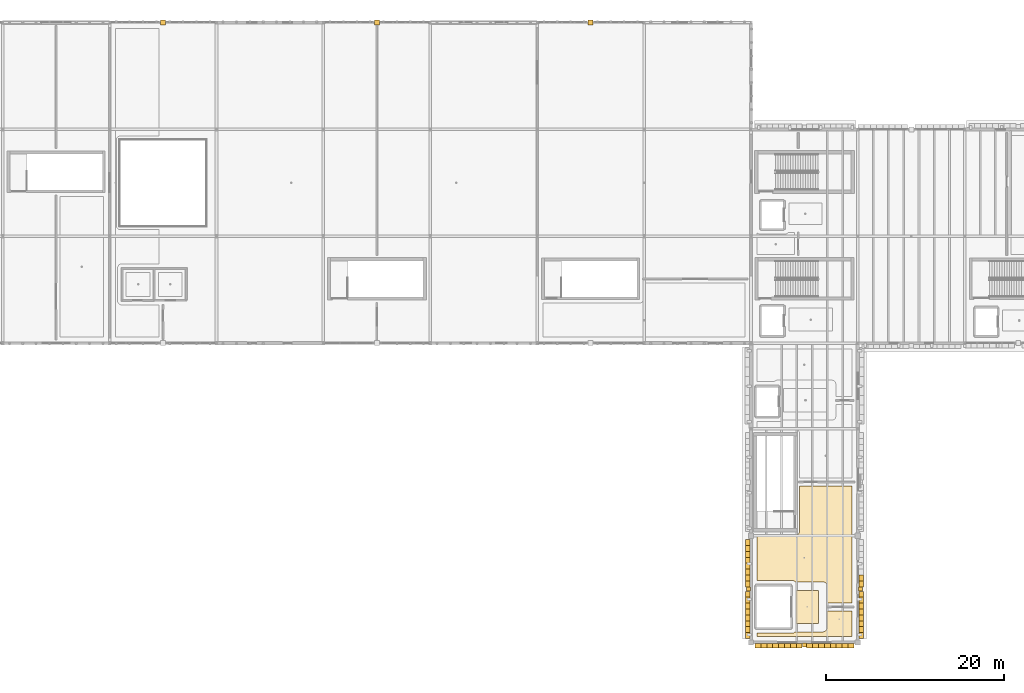
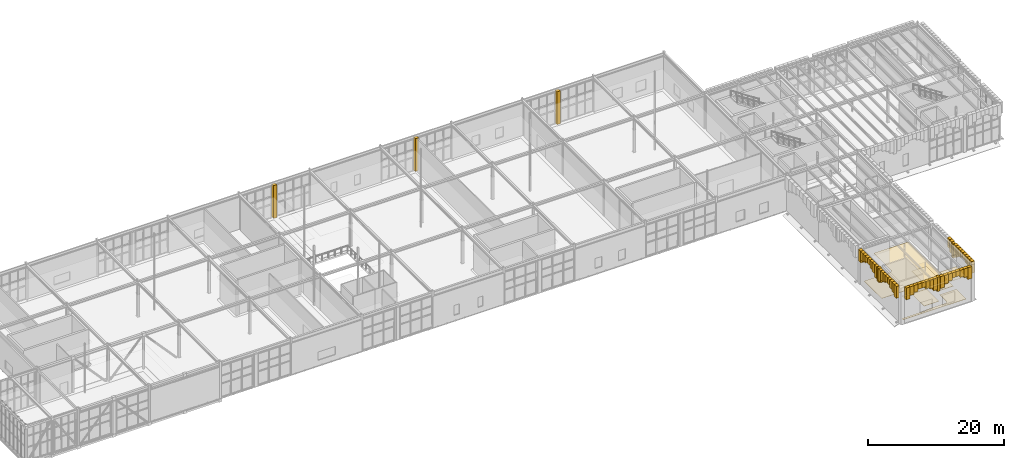
# One storey, part 55 of 62: 53 coverings.
"""IFC4 building model written with IfcOpenShell, lengths in metres."""

from ifc_helpers import new_model, si_unit, direction, frame, origin, place, context, subcontext, project, spatial, polyline, outline, extrude, material, layer, layer_set, type_object, element, save


model = new_model("IFC4")

# Units and contexts
model_context = context("Model", 3, precision=1e-05, world=origin(), true_north=direction((0.0, 1.0)))
body_context = subcontext(model_context, "Body", "Model", "MODEL_VIEW")
ifc_project = project(units=[si_unit("LENGTHUNIT", "METRE"), si_unit("AREAUNIT", "SQUARE_METRE"), si_unit("VOLUMEUNIT", "CUBIC_METRE"), si_unit("PLANEANGLEUNIT", "RADIAN"), si_unit("MASSUNIT", "GRAM", prefix="KILO")], contexts=[model_context])

# Site, building, storey
site_placement = place(None, origin())
site = spatial("IfcSite", under=ifc_project, at=site_placement, CompositionType="ELEMENT")
building_placement = place(site_placement, origin())
building = spatial("IfcBuilding", under=site, at=building_placement, Name="Zlatogorsky Bluff Art Gallery", CompositionType="ELEMENT")
storey_placement = place(building_placement, frame((0.0, 0.0, 16.800048828125)))
storey = spatial("IfcBuildingStorey", under=building, at=storey_placement, Name="L03", CompositionType="ELEMENT", Elevation=16.800048828125)

# Coverings
ifc_material_1 = material(Name="Perforated Gypsum Acoustic Board", Category="gypsum")
ifc_layer_1 = layer(ifc_material_1, 0.0400390625)
ifc_layer_set_1 = layer_set([ifc_layer_1], Name="Acoustic Gallery Ceiling CLG-01")
covering_type_1 = type_object("IfcCoveringType", Name="Acoustic Gallery Ceiling CLG-01", PredefinedType="CEILING", material=ifc_layer_set_1)
covering_1_placement = place(storey_placement, frame((0.0, 0.0, 4.050048828125)))
element("IfcCovering", 1, at=covering_1_placement, inside=storey, type_object=covering_type_1, Name="Lift Lobby GL-1 acoustic ceiling", PredefinedType="CEILING", context=body_context, shape_type="SweptSolid", body=[
    extrude(outline(polyline([(125.070068359375, 52.550048828125), (125.070068359375, 56.25), (127.570068359375, 56.25), (127.570068359375, 52.550048828125), (125.070068359375, 52.550048828125)])), origin(), (0.0, 0.0, 1.0), 0.039794921875),
])
covering_2_placement = place(storey_placement, frame((0.0, 0.0, 4.050048828125)))
element("IfcCovering", 2, at=covering_2_placement, inside=storey, type_object=covering_type_1, Name="Curatorial Archive Reading Room acoustic ceiling", PredefinedType="CEILING", context=body_context, shape_type="SweptSolid", body=[
    extrude(outline(polyline([(124.6201171875, 51.449951171875), (124.6640625, 51.4521484375), (124.707763671875, 51.45849609375), (124.75048828125, 51.469482421875), (124.792236328125, 51.484375), (124.83203125, 51.503173828125), (124.8701171875, 51.52587890625), (124.905517578125, 51.552001953125), (124.938232421875, 51.581787109375), (124.95458984375, 51.60009765625), (128.070068359375, 51.60009765625), (128.114013671875, 51.602294921875), (128.15771484375, 51.608642578125), (128.20068359375, 51.619384765625), (128.2421875, 51.63427734375), (128.281982421875, 51.653076171875), (128.320068359375, 51.67578125), (128.35546875, 51.7021484375), (128.38818359375, 51.731689453125), (128.41796875, 51.764404296875), (128.444091796875, 51.800048828125), (128.466796875, 51.837890625), (128.485595703125, 51.877685546875), (128.50048828125, 51.91943359375), (128.511474609375, 51.962158203125), (128.517822265625, 52.005859375), (128.52001953125, 52.050048828125), (128.52001953125, 53.949951171875), (131.330078125, 53.949951171875), (131.330078125, 51.070068359375), (120.669921875, 51.070068359375), (120.669921875, 51.449951171875), (124.6201171875, 51.449951171875)])), origin(), (0.0, 0.0, 1.0), 0.039794921875),
])
ifc_material_2 = material(Name="Honed Red Agra-Tone Quartzitic Sandstone", Category="masonry")
ifc_layer_2 = layer(ifc_material_2, 0.1201171875)
ifc_layer_set_2 = layer_set([ifc_layer_2], Name="Carved Sandstone Cladding CLD-02")
covering_type_2 = type_object("IfcCoveringType", Name="Carved Sandstone Cladding CLD-02", PredefinedType="CLADDING", material=ifc_layer_set_2)
covering_3_placement = place(storey_placement, frame((0.0, 0.0, -0.030029296875)))
element("IfcCovering", 3, at=covering_3_placement, inside=storey, type_object=covering_type_2, Name="Mughal dalan central sandstone pier L03 N 4.10", PredefinedType="CLADDING", context=body_context, shape_type="SweptSolid", body=[
    extrude(outline(polyline([(53.719970703125, 119.719970703125), (54.280029296875, 119.719970703125), (54.280029296875, 120.280029296875), (53.719970703125, 120.280029296875), (53.719970703125, 119.719970703125)])), origin(), (0.0, 0.0, 1.0), 5.8798828125),
])
covering_4_placement = place(storey_placement, frame((0.0, 0.0, -0.030029296875)))
element("IfcCovering", 4, at=covering_4_placement, inside=storey, type_object=covering_type_2, Name="Mughal dalan central sandstone pier L03 N 6.10", PredefinedType="CLADDING", context=body_context, shape_type="SweptSolid", body=[
    extrude(outline(polyline([(77.719970703125, 119.719970703125), (78.280029296875, 119.719970703125), (78.280029296875, 120.280029296875), (77.719970703125, 120.280029296875), (77.719970703125, 119.719970703125)])), origin(), (0.0, 0.0, 1.0), 5.8798828125),
])
covering_5_placement = place(storey_placement, frame((0.0, 0.0, -0.030029296875)))
element("IfcCovering", 5, at=covering_5_placement, inside=storey, type_object=covering_type_2, Name="Mughal dalan central sandstone pier L03 N 8.10", PredefinedType="CLADDING", context=body_context, shape_type="SweptSolid", body=[
    extrude(outline(polyline([(101.719970703125, 119.719970703125), (102.280029296875, 119.719970703125), (102.280029296875, 120.280029296875), (101.719970703125, 120.280029296875), (101.719970703125, 119.719970703125)])), origin(), (0.0, 0.0, 1.0), 5.8798828125),
])
covering_6_placement = place(storey_placement, frame((0.0, 0.0, 4.0)))
element("IfcCovering", 6, at=covering_6_placement, inside=storey, type_object=covering_type_2, Name="Mughal blind-arch sandstone pilaster L03.S.10.5", PredefinedType="CLADDING", context=body_context, shape_type="SweptSolid", body=[
    extrude(outline(polyline([(125.760009765625, 49.8798828125), (126.239990234375, 49.8798828125), (126.239990234375, 50.360107421875), (125.760009765625, 50.360107421875), (125.760009765625, 49.8798828125)])), origin(), (0.0, 0.0, 1.0), 2.56005859375),
])
covering_7_placement = place(storey_placement, frame((0.0, 0.0, 4.4423828125)))
element("IfcCovering", 7, at=covering_7_placement, inside=storey, type_object=covering_type_2, Name="Pointed Mughal arch voussoir spandrel WARCH-L03-S-10-05-A.1", PredefinedType="CLADDING", context=body_context, shape_type="SweptSolid", body=[
    extrude(outline(polyline([(120.449951171875, 49.780029296875), (121.112548828125, 49.780029296875), (121.112548828125, 50.27001953125), (120.449951171875, 50.27001953125), (120.449951171875, 49.780029296875)])), origin(), (0.0, 0.0, 1.0), 2.11767578125),
])
covering_8_placement = place(storey_placement, frame((0.0, 0.0, 4.9736328125)))
element("IfcCovering", 8, at=covering_8_placement, inside=storey, type_object=covering_type_2, Name="Pointed Mughal arch voussoir spandrel WARCH-L03-S-10-05-A.2", PredefinedType="CLADDING", context=body_context, shape_type="SweptSolid", body=[
    extrude(outline(polyline([(121.112548828125, 49.780029296875), (121.77490234375, 49.780029296875), (121.77490234375, 50.27001953125), (121.112548828125, 50.27001953125), (121.112548828125, 49.780029296875)])), origin(), (0.0, 0.0, 1.0), 1.58642578125),
])
covering_9_placement = place(storey_placement, frame((0.0, 0.0, 5.2666015625)))
element("IfcCovering", 9, at=covering_9_placement, inside=storey, type_object=covering_type_2, Name="Pointed Mughal arch voussoir spandrel WARCH-L03-S-10-05-A.3", PredefinedType="CLADDING", context=body_context, shape_type="SweptSolid", body=[
    extrude(outline(polyline([(121.77490234375, 49.780029296875), (122.4375, 49.780029296875), (122.4375, 50.27001953125), (121.77490234375, 50.27001953125), (121.77490234375, 49.780029296875)])), origin(), (0.0, 0.0, 1.0), 1.29345703125),
])
covering_10_placement = place(storey_placement, frame((0.0, 0.0, 5.63525390625)))
element("IfcCovering", 10, at=covering_10_placement, inside=storey, type_object=covering_type_2, Name="Pointed Mughal arch voussoir spandrel WARCH-L03-S-10-05-A.4", PredefinedType="CLADDING", context=body_context, shape_type="SweptSolid", body=[
    extrude(outline(polyline([(122.4375, 49.780029296875), (123.10009765625, 49.780029296875), (123.10009765625, 50.27001953125), (122.4375, 50.27001953125), (122.4375, 49.780029296875)])), origin(), (0.0, 0.0, 1.0), 0.9248046875),
])
covering_11_placement = place(storey_placement, frame((0.0, 0.0, 5.63525390625)))
element("IfcCovering", 11, at=covering_11_placement, inside=storey, type_object=covering_type_2, Name="Pointed Mughal arch voussoir spandrel WARCH-L03-S-10-05-A.5", PredefinedType="CLADDING", context=body_context, shape_type="SweptSolid", body=[
    extrude(outline(polyline([(123.10009765625, 49.780029296875), (123.762451171875, 49.780029296875), (123.762451171875, 50.27001953125), (123.10009765625, 50.27001953125), (123.10009765625, 49.780029296875)])), origin(), (0.0, 0.0, 1.0), 0.9248046875),
])
covering_12_placement = place(storey_placement, frame((0.0, 0.0, 5.2666015625)))
element("IfcCovering", 12, at=covering_12_placement, inside=storey, type_object=covering_type_2, Name="Pointed Mughal arch voussoir spandrel WARCH-L03-S-10-05-A.6", PredefinedType="CLADDING", context=body_context, shape_type="SweptSolid", body=[
    extrude(outline(polyline([(123.762451171875, 49.780029296875), (124.425048828125, 49.780029296875), (124.425048828125, 50.27001953125), (123.762451171875, 50.27001953125), (123.762451171875, 49.780029296875)])), origin(), (0.0, 0.0, 1.0), 1.29345703125),
])
covering_13_placement = place(storey_placement, frame((0.0, 0.0, 4.9736328125)))
element("IfcCovering", 13, at=covering_13_placement, inside=storey, type_object=covering_type_2, Name="Pointed Mughal arch voussoir spandrel WARCH-L03-S-10-05-A.7", PredefinedType="CLADDING", context=body_context, shape_type="SweptSolid", body=[
    extrude(outline(polyline([(124.425048828125, 49.780029296875), (125.08740234375, 49.780029296875), (125.08740234375, 50.27001953125), (124.425048828125, 50.27001953125), (124.425048828125, 49.780029296875)])), origin(), (0.0, 0.0, 1.0), 1.58642578125),
])
covering_14_placement = place(storey_placement, frame((0.0, 0.0, 4.4423828125)))
element("IfcCovering", 14, at=covering_14_placement, inside=storey, type_object=covering_type_2, Name="Pointed Mughal arch voussoir spandrel WARCH-L03-S-10-05-A.8", PredefinedType="CLADDING", context=body_context, shape_type="SweptSolid", body=[
    extrude(outline(polyline([(125.08740234375, 49.780029296875), (125.75, 49.780029296875), (125.75, 50.27001953125), (125.08740234375, 50.27001953125), (125.08740234375, 49.780029296875)])), origin(), (0.0, 0.0, 1.0), 2.11767578125),
])
covering_15_placement = place(storey_placement, frame((0.0, 0.0, 4.4423828125)))
element("IfcCovering", 15, at=covering_15_placement, inside=storey, type_object=covering_type_2, Name="Pointed Mughal arch voussoir spandrel WARCH-L03-S-10-05-B.1", PredefinedType="CLADDING", context=body_context, shape_type="SweptSolid", body=[
    extrude(outline(polyline([(126.25, 49.780029296875), (126.91259765625, 49.780029296875), (126.91259765625, 50.27001953125), (126.25, 50.27001953125), (126.25, 49.780029296875)])), origin(), (0.0, 0.0, 1.0), 2.11767578125),
])
covering_16_placement = place(storey_placement, frame((0.0, 0.0, 4.9736328125)))
element("IfcCovering", 16, at=covering_16_placement, inside=storey, type_object=covering_type_2, Name="Pointed Mughal arch voussoir spandrel WARCH-L03-S-10-05-B.2", PredefinedType="CLADDING", context=body_context, shape_type="SweptSolid", body=[
    extrude(outline(polyline([(126.91259765625, 49.780029296875), (127.574951171875, 49.780029296875), (127.574951171875, 50.27001953125), (126.91259765625, 50.27001953125), (126.91259765625, 49.780029296875)])), origin(), (0.0, 0.0, 1.0), 1.58642578125),
])
covering_17_placement = place(storey_placement, frame((0.0, 0.0, 5.2666015625)))
element("IfcCovering", 17, at=covering_17_placement, inside=storey, type_object=covering_type_2, Name="Pointed Mughal arch voussoir spandrel WARCH-L03-S-10-05-B.3", PredefinedType="CLADDING", context=body_context, shape_type="SweptSolid", body=[
    extrude(outline(polyline([(127.574951171875, 49.780029296875), (128.237548828125, 49.780029296875), (128.237548828125, 50.27001953125), (127.574951171875, 50.27001953125), (127.574951171875, 49.780029296875)])), origin(), (0.0, 0.0, 1.0), 1.29345703125),
])
covering_18_placement = place(storey_placement, frame((0.0, 0.0, 5.63525390625)))
element("IfcCovering", 18, at=covering_18_placement, inside=storey, type_object=covering_type_2, Name="Pointed Mughal arch voussoir spandrel WARCH-L03-S-10-05-B.4", PredefinedType="CLADDING", context=body_context, shape_type="SweptSolid", body=[
    extrude(outline(polyline([(128.237548828125, 49.780029296875), (128.89990234375, 49.780029296875), (128.89990234375, 50.27001953125), (128.237548828125, 50.27001953125), (128.237548828125, 49.780029296875)])), origin(), (0.0, 0.0, 1.0), 0.9248046875),
])
covering_19_placement = place(storey_placement, frame((0.0, 0.0, 5.63525390625)))
element("IfcCovering", 19, at=covering_19_placement, inside=storey, type_object=covering_type_2, Name="Pointed Mughal arch voussoir spandrel WARCH-L03-S-10-05-B.5", PredefinedType="CLADDING", context=body_context, shape_type="SweptSolid", body=[
    extrude(outline(polyline([(128.89990234375, 49.780029296875), (129.5625, 49.780029296875), (129.5625, 50.27001953125), (128.89990234375, 50.27001953125), (128.89990234375, 49.780029296875)])), origin(), (0.0, 0.0, 1.0), 0.9248046875),
])
covering_20_placement = place(storey_placement, frame((0.0, 0.0, 5.2666015625)))
element("IfcCovering", 20, at=covering_20_placement, inside=storey, type_object=covering_type_2, Name="Pointed Mughal arch voussoir spandrel WARCH-L03-S-10-05-B.6", PredefinedType="CLADDING", context=body_context, shape_type="SweptSolid", body=[
    extrude(outline(polyline([(129.5625, 49.780029296875), (130.22509765625, 49.780029296875), (130.22509765625, 50.27001953125), (129.5625, 50.27001953125), (129.5625, 49.780029296875)])), origin(), (0.0, 0.0, 1.0), 1.29345703125),
])
covering_21_placement = place(storey_placement, frame((0.0, 0.0, 4.9736328125)))
element("IfcCovering", 21, at=covering_21_placement, inside=storey, type_object=covering_type_2, Name="Pointed Mughal arch voussoir spandrel WARCH-L03-S-10-05-B.7", PredefinedType="CLADDING", context=body_context, shape_type="SweptSolid", body=[
    extrude(outline(polyline([(130.22509765625, 49.780029296875), (130.887451171875, 49.780029296875), (130.887451171875, 50.27001953125), (130.22509765625, 50.27001953125), (130.22509765625, 49.780029296875)])), origin(), (0.0, 0.0, 1.0), 1.58642578125),
])
covering_22_placement = place(storey_placement, frame((0.0, 0.0, 4.4423828125)))
element("IfcCovering", 22, at=covering_22_placement, inside=storey, type_object=covering_type_2, Name="Pointed Mughal arch voussoir spandrel WARCH-L03-S-10-05-B.8", PredefinedType="CLADDING", context=body_context, shape_type="SweptSolid", body=[
    extrude(outline(polyline([(130.887451171875, 49.780029296875), (131.550048828125, 49.780029296875), (131.550048828125, 50.27001953125), (130.887451171875, 50.27001953125), (130.887451171875, 49.780029296875)])), origin(), (0.0, 0.0, 1.0), 2.11767578125),
])
covering_23_placement = place(storey_placement, frame((0.0, 0.0, 4.0)))
element("IfcCovering", 23, at=covering_23_placement, inside=storey, type_object=covering_type_2, Name="Mughal blind-arch sandstone pilaster L03.W.10.5", PredefinedType="CLADDING", context=body_context, shape_type="SweptSolid", body=[
    extrude(outline(polyline([(119.47998046875, 56.159912109375), (119.9599609375, 56.159912109375), (119.9599609375, 56.639892578125), (119.47998046875, 56.639892578125), (119.47998046875, 56.159912109375)])), origin(), (0.0, 0.0, 1.0), 2.56005859375),
])
covering_24_placement = place(storey_placement, frame((0.0, 0.0, 4.4423828125)))
element("IfcCovering", 24, at=covering_24_placement, inside=storey, type_object=covering_type_2, Name="Pointed Mughal arch voussoir spandrel WARCH-L03-W-10-05-A.1", PredefinedType="CLADDING", context=body_context, shape_type="SweptSolid", body=[
    extrude(outline(polyline([(119.3798828125, 50.85009765625), (119.3798828125, 51.512451171875), (119.8701171875, 51.512451171875), (119.8701171875, 50.85009765625), (119.3798828125, 50.85009765625)])), origin(), (0.0, 0.0, 1.0), 2.11767578125),
])
covering_25_placement = place(storey_placement, frame((0.0, 0.0, 4.9736328125)))
element("IfcCovering", 25, at=covering_25_placement, inside=storey, type_object=covering_type_2, Name="Pointed Mughal arch voussoir spandrel WARCH-L03-W-10-05-A.2", PredefinedType="CLADDING", context=body_context, shape_type="SweptSolid", body=[
    extrude(outline(polyline([(119.3798828125, 51.512451171875), (119.3798828125, 52.175048828125), (119.8701171875, 52.175048828125), (119.8701171875, 51.512451171875), (119.3798828125, 51.512451171875)])), origin(), (0.0, 0.0, 1.0), 1.58642578125),
])
covering_26_placement = place(storey_placement, frame((0.0, 0.0, 5.2666015625)))
element("IfcCovering", 26, at=covering_26_placement, inside=storey, type_object=covering_type_2, Name="Pointed Mughal arch voussoir spandrel WARCH-L03-W-10-05-A.3", PredefinedType="CLADDING", context=body_context, shape_type="SweptSolid", body=[
    extrude(outline(polyline([(119.3798828125, 52.175048828125), (119.3798828125, 52.83740234375), (119.8701171875, 52.83740234375), (119.8701171875, 52.175048828125), (119.3798828125, 52.175048828125)])), origin(), (0.0, 0.0, 1.0), 1.29345703125),
])
covering_27_placement = place(storey_placement, frame((0.0, 0.0, 5.63525390625)))
element("IfcCovering", 27, at=covering_27_placement, inside=storey, type_object=covering_type_2, Name="Pointed Mughal arch voussoir spandrel WARCH-L03-W-10-05-A.4", PredefinedType="CLADDING", context=body_context, shape_type="SweptSolid", body=[
    extrude(outline(polyline([(119.3798828125, 52.83740234375), (119.3798828125, 53.5), (119.8701171875, 53.5), (119.8701171875, 52.83740234375), (119.3798828125, 52.83740234375)])), origin(), (0.0, 0.0, 1.0), 0.9248046875),
])
covering_28_placement = place(storey_placement, frame((0.0, 0.0, 5.63525390625)))
element("IfcCovering", 28, at=covering_28_placement, inside=storey, type_object=covering_type_2, Name="Pointed Mughal arch voussoir spandrel WARCH-L03-W-10-05-A.5", PredefinedType="CLADDING", context=body_context, shape_type="SweptSolid", body=[
    extrude(outline(polyline([(119.3798828125, 53.5), (119.3798828125, 54.16259765625), (119.8701171875, 54.16259765625), (119.8701171875, 53.5), (119.3798828125, 53.5)])), origin(), (0.0, 0.0, 1.0), 0.9248046875),
])
covering_29_placement = place(storey_placement, frame((0.0, 0.0, 5.2666015625)))
element("IfcCovering", 29, at=covering_29_placement, inside=storey, type_object=covering_type_2, Name="Pointed Mughal arch voussoir spandrel WARCH-L03-W-10-05-A.6", PredefinedType="CLADDING", context=body_context, shape_type="SweptSolid", body=[
    extrude(outline(polyline([(119.3798828125, 54.16259765625), (119.3798828125, 54.824951171875), (119.8701171875, 54.824951171875), (119.8701171875, 54.16259765625), (119.3798828125, 54.16259765625)])), origin(), (0.0, 0.0, 1.0), 1.29345703125),
])
covering_30_placement = place(storey_placement, frame((0.0, 0.0, 4.9736328125)))
element("IfcCovering", 30, at=covering_30_placement, inside=storey, type_object=covering_type_2, Name="Pointed Mughal arch voussoir spandrel WARCH-L03-W-10-05-A.7", PredefinedType="CLADDING", context=body_context, shape_type="SweptSolid", body=[
    extrude(outline(polyline([(119.3798828125, 54.824951171875), (119.3798828125, 55.487548828125), (119.8701171875, 55.487548828125), (119.8701171875, 54.824951171875), (119.3798828125, 54.824951171875)])), origin(), (0.0, 0.0, 1.0), 1.58642578125),
])
covering_31_placement = place(storey_placement, frame((0.0, 0.0, 4.4423828125)))
element("IfcCovering", 31, at=covering_31_placement, inside=storey, type_object=covering_type_2, Name="Pointed Mughal arch voussoir spandrel WARCH-L03-W-10-05-A.8", PredefinedType="CLADDING", context=body_context, shape_type="SweptSolid", body=[
    extrude(outline(polyline([(119.3798828125, 55.487548828125), (119.3798828125, 56.14990234375), (119.8701171875, 56.14990234375), (119.8701171875, 55.487548828125), (119.3798828125, 55.487548828125)])), origin(), (0.0, 0.0, 1.0), 2.11767578125),
])
covering_32_placement = place(storey_placement, frame((0.0, 0.0, 4.4423828125)))
element("IfcCovering", 32, at=covering_32_placement, inside=storey, type_object=covering_type_2, Name="Pointed Mughal arch voussoir spandrel WARCH-L03-W-10-05-B.1", PredefinedType="CLADDING", context=body_context, shape_type="SweptSolid", body=[
    extrude(outline(polyline([(119.3798828125, 56.64990234375), (119.3798828125, 57.3125), (119.8701171875, 57.3125), (119.8701171875, 56.64990234375), (119.3798828125, 56.64990234375)])), origin(), (0.0, 0.0, 1.0), 2.11767578125),
])
covering_33_placement = place(storey_placement, frame((0.0, 0.0, 4.9736328125)))
element("IfcCovering", 33, at=covering_33_placement, inside=storey, type_object=covering_type_2, Name="Pointed Mughal arch voussoir spandrel WARCH-L03-W-10-05-B.2", PredefinedType="CLADDING", context=body_context, shape_type="SweptSolid", body=[
    extrude(outline(polyline([(119.3798828125, 57.3125), (119.3798828125, 57.97509765625), (119.8701171875, 57.97509765625), (119.8701171875, 57.3125), (119.3798828125, 57.3125)])), origin(), (0.0, 0.0, 1.0), 1.58642578125),
])
covering_34_placement = place(storey_placement, frame((0.0, 0.0, 5.2666015625)))
element("IfcCovering", 34, at=covering_34_placement, inside=storey, type_object=covering_type_2, Name="Pointed Mughal arch voussoir spandrel WARCH-L03-W-10-05-B.3", PredefinedType="CLADDING", context=body_context, shape_type="SweptSolid", body=[
    extrude(outline(polyline([(119.3798828125, 57.97509765625), (119.3798828125, 58.637451171875), (119.8701171875, 58.637451171875), (119.8701171875, 57.97509765625), (119.3798828125, 57.97509765625)])), origin(), (0.0, 0.0, 1.0), 1.29345703125),
])
covering_35_placement = place(storey_placement, frame((0.0, 0.0, 5.63525390625)))
element("IfcCovering", 35, at=covering_35_placement, inside=storey, type_object=covering_type_2, Name="Pointed Mughal arch voussoir spandrel WARCH-L03-W-10-05-B.4", PredefinedType="CLADDING", context=body_context, shape_type="SweptSolid", body=[
    extrude(outline(polyline([(119.3798828125, 58.637451171875), (119.3798828125, 59.300048828125), (119.8701171875, 59.300048828125), (119.8701171875, 58.637451171875), (119.3798828125, 58.637451171875)])), origin(), (0.0, 0.0, 1.0), 0.9248046875),
])
covering_36_placement = place(storey_placement, frame((0.0, 0.0, 5.63525390625)))
element("IfcCovering", 36, at=covering_36_placement, inside=storey, type_object=covering_type_2, Name="Pointed Mughal arch voussoir spandrel WARCH-L03-W-10-05-B.5", PredefinedType="CLADDING", context=body_context, shape_type="SweptSolid", body=[
    extrude(outline(polyline([(119.3798828125, 59.300048828125), (119.3798828125, 59.96240234375), (119.8701171875, 59.96240234375), (119.8701171875, 59.300048828125), (119.3798828125, 59.300048828125)])), origin(), (0.0, 0.0, 1.0), 0.9248046875),
])
covering_37_placement = place(storey_placement, frame((0.0, 0.0, 5.2666015625)))
element("IfcCovering", 37, at=covering_37_placement, inside=storey, type_object=covering_type_2, Name="Pointed Mughal arch voussoir spandrel WARCH-L03-W-10-05-B.6", PredefinedType="CLADDING", context=body_context, shape_type="SweptSolid", body=[
    extrude(outline(polyline([(119.3798828125, 59.96240234375), (119.3798828125, 60.625), (119.8701171875, 60.625), (119.8701171875, 59.96240234375), (119.3798828125, 59.96240234375)])), origin(), (0.0, 0.0, 1.0), 1.29345703125),
])
covering_38_placement = place(storey_placement, frame((0.0, 0.0, 4.9736328125)))
element("IfcCovering", 38, at=covering_38_placement, inside=storey, type_object=covering_type_2, Name="Pointed Mughal arch voussoir spandrel WARCH-L03-W-10-05-B.7", PredefinedType="CLADDING", context=body_context, shape_type="SweptSolid", body=[
    extrude(outline(polyline([(119.3798828125, 60.625), (119.3798828125, 61.28759765625), (119.8701171875, 61.28759765625), (119.8701171875, 60.625), (119.3798828125, 60.625)])), origin(), (0.0, 0.0, 1.0), 1.58642578125),
])
covering_39_placement = place(storey_placement, frame((0.0, 0.0, 4.4423828125)))
element("IfcCovering", 39, at=covering_39_placement, inside=storey, type_object=covering_type_2, Name="Pointed Mughal arch voussoir spandrel WARCH-L03-W-10-05-B.8", PredefinedType="CLADDING", context=body_context, shape_type="SweptSolid", body=[
    extrude(outline(polyline([(119.3798828125, 61.28759765625), (119.3798828125, 61.949951171875), (119.8701171875, 61.949951171875), (119.8701171875, 61.28759765625), (119.3798828125, 61.28759765625)])), origin(), (0.0, 0.0, 1.0), 2.11767578125),
])
covering_40_placement = place(storey_placement, frame((0.0, 0.0, 4.0)))
element("IfcCovering", 40, at=covering_40_placement, inside=storey, type_object=covering_type_2, Name="Mughal blind-arch sandstone pilaster L03.E.10.5", PredefinedType="CLADDING", context=body_context, shape_type="SweptSolid", body=[
    extrude(outline(polyline([(132.0400390625, 56.159912109375), (132.52001953125, 56.159912109375), (132.52001953125, 56.639892578125), (132.0400390625, 56.639892578125), (132.0400390625, 56.159912109375)])), origin(), (0.0, 0.0, 1.0), 2.56005859375),
])
covering_41_placement = place(storey_placement, frame((0.0, 0.0, 4.4423828125)))
element("IfcCovering", 41, at=covering_41_placement, inside=storey, type_object=covering_type_2, Name="Pointed Mughal arch voussoir spandrel WARCH-L03-E-10-05-A.1", PredefinedType="CLADDING", context=body_context, shape_type="SweptSolid", body=[
    extrude(outline(polyline([(132.1298828125, 50.85009765625), (132.1298828125, 51.512451171875), (132.6201171875, 51.512451171875), (132.6201171875, 50.85009765625), (132.1298828125, 50.85009765625)])), origin(), (0.0, 0.0, 1.0), 2.11767578125),
])
covering_42_placement = place(storey_placement, frame((0.0, 0.0, 4.9736328125)))
element("IfcCovering", 42, at=covering_42_placement, inside=storey, type_object=covering_type_2, Name="Pointed Mughal arch voussoir spandrel WARCH-L03-E-10-05-A.2", PredefinedType="CLADDING", context=body_context, shape_type="SweptSolid", body=[
    extrude(outline(polyline([(132.1298828125, 51.512451171875), (132.1298828125, 52.175048828125), (132.6201171875, 52.175048828125), (132.6201171875, 51.512451171875), (132.1298828125, 51.512451171875)])), origin(), (0.0, 0.0, 1.0), 1.58642578125),
])
covering_43_placement = place(storey_placement, frame((0.0, 0.0, 5.2666015625)))
element("IfcCovering", 43, at=covering_43_placement, inside=storey, type_object=covering_type_2, Name="Pointed Mughal arch voussoir spandrel WARCH-L03-E-10-05-A.3", PredefinedType="CLADDING", context=body_context, shape_type="SweptSolid", body=[
    extrude(outline(polyline([(132.1298828125, 52.175048828125), (132.1298828125, 52.83740234375), (132.6201171875, 52.83740234375), (132.6201171875, 52.175048828125), (132.1298828125, 52.175048828125)])), origin(), (0.0, 0.0, 1.0), 1.29345703125),
])
covering_44_placement = place(storey_placement, frame((0.0, 0.0, 5.63525390625)))
element("IfcCovering", 44, at=covering_44_placement, inside=storey, type_object=covering_type_2, Name="Pointed Mughal arch voussoir spandrel WARCH-L03-E-10-05-A.4", PredefinedType="CLADDING", context=body_context, shape_type="SweptSolid", body=[
    extrude(outline(polyline([(132.1298828125, 52.83740234375), (132.1298828125, 53.5), (132.6201171875, 53.5), (132.6201171875, 52.83740234375), (132.1298828125, 52.83740234375)])), origin(), (0.0, 0.0, 1.0), 0.9248046875),
])
covering_45_placement = place(storey_placement, frame((0.0, 0.0, 5.63525390625)))
element("IfcCovering", 45, at=covering_45_placement, inside=storey, type_object=covering_type_2, Name="Pointed Mughal arch voussoir spandrel WARCH-L03-E-10-05-A.5", PredefinedType="CLADDING", context=body_context, shape_type="SweptSolid", body=[
    extrude(outline(polyline([(132.1298828125, 53.5), (132.1298828125, 54.16259765625), (132.6201171875, 54.16259765625), (132.6201171875, 53.5), (132.1298828125, 53.5)])), origin(), (0.0, 0.0, 1.0), 0.9248046875),
])
covering_46_placement = place(storey_placement, frame((0.0, 0.0, 5.2666015625)))
element("IfcCovering", 46, at=covering_46_placement, inside=storey, type_object=covering_type_2, Name="Pointed Mughal arch voussoir spandrel WARCH-L03-E-10-05-A.6", PredefinedType="CLADDING", context=body_context, shape_type="SweptSolid", body=[
    extrude(outline(polyline([(132.1298828125, 54.16259765625), (132.1298828125, 54.824951171875), (132.6201171875, 54.824951171875), (132.6201171875, 54.16259765625), (132.1298828125, 54.16259765625)])), origin(), (0.0, 0.0, 1.0), 1.29345703125),
])
covering_47_placement = place(storey_placement, frame((0.0, 0.0, 4.9736328125)))
element("IfcCovering", 47, at=covering_47_placement, inside=storey, type_object=covering_type_2, Name="Pointed Mughal arch voussoir spandrel WARCH-L03-E-10-05-A.7", PredefinedType="CLADDING", context=body_context, shape_type="SweptSolid", body=[
    extrude(outline(polyline([(132.1298828125, 54.824951171875), (132.1298828125, 55.487548828125), (132.6201171875, 55.487548828125), (132.6201171875, 54.824951171875), (132.1298828125, 54.824951171875)])), origin(), (0.0, 0.0, 1.0), 1.58642578125),
])
covering_48_placement = place(storey_placement, frame((0.0, 0.0, 4.4423828125)))
element("IfcCovering", 48, at=covering_48_placement, inside=storey, type_object=covering_type_2, Name="Pointed Mughal arch voussoir spandrel WARCH-L03-E-10-05-A.8", PredefinedType="CLADDING", context=body_context, shape_type="SweptSolid", body=[
    extrude(outline(polyline([(132.1298828125, 55.487548828125), (132.1298828125, 56.14990234375), (132.6201171875, 56.14990234375), (132.6201171875, 55.487548828125), (132.1298828125, 55.487548828125)])), origin(), (0.0, 0.0, 1.0), 2.11767578125),
])
covering_49_placement = place(storey_placement, frame((0.0, 0.0, 4.4423828125)))
element("IfcCovering", 49, at=covering_49_placement, inside=storey, type_object=covering_type_2, Name="Pointed Mughal arch voussoir spandrel WARCH-L03-E-10-05-B.1", PredefinedType="CLADDING", context=body_context, shape_type="SweptSolid", body=[
    extrude(outline(polyline([(132.1298828125, 56.64990234375), (132.1298828125, 57.3125), (132.6201171875, 57.3125), (132.6201171875, 56.64990234375), (132.1298828125, 56.64990234375)])), origin(), (0.0, 0.0, 1.0), 2.11767578125),
])
covering_50_placement = place(storey_placement, frame((0.0, 0.0, 4.9736328125)))
element("IfcCovering", 50, at=covering_50_placement, inside=storey, type_object=covering_type_2, Name="Pointed Mughal arch voussoir spandrel WARCH-L03-E-10-05-B.2", PredefinedType="CLADDING", context=body_context, shape_type="SweptSolid", body=[
    extrude(outline(polyline([(132.1298828125, 57.3125), (132.1298828125, 57.97509765625), (132.6201171875, 57.97509765625), (132.6201171875, 57.3125), (132.1298828125, 57.3125)])), origin(), (0.0, 0.0, 1.0), 1.58642578125),
])
ifc_material_3 = material(Name="Polished Ural Marble Terrazzo", Category="masonry")
ifc_layer_3 = layer(ifc_material_3, 0.050048828125)
ifc_layer_set_3 = layer_set([ifc_layer_3], Name="Terrazzo Gallery Flooring FLR-01")
covering_type_3 = type_object("IfcCoveringType", Name="Terrazzo Gallery Flooring FLR-01", PredefinedType="FLOORING", material=ifc_layer_set_3)
covering_51_placement = place(storey_placement, origin())
element("IfcCovering", 51, at=covering_51_placement, inside=storey, type_object=covering_type_3, Name="Lift Lobby GL-1 terrazzo floor finish", PredefinedType="FLOORING", context=body_context, shape_type="SweptSolid", body=[
    extrude(outline(polyline([(125.070068359375, 52.550048828125), (125.070068359375, 56.25), (127.570068359375, 56.25), (127.570068359375, 52.550048828125), (125.070068359375, 52.550048828125)])), origin(), (0.0, 0.0, 1.0), 0.050048828125),
])
covering_52_placement = place(storey_placement, origin())
element("IfcCovering", 52, at=covering_52_placement, inside=storey, type_object=covering_type_3, Name="Curatorial Archive Reading Room terrazzo floor finish", PredefinedType="FLOORING", context=body_context, shape_type="SweptSolid", body=[
    extrude(outline(polyline([(124.6201171875, 51.449951171875), (124.6640625, 51.4521484375), (124.707763671875, 51.45849609375), (124.75048828125, 51.469482421875), (124.792236328125, 51.484375), (124.83203125, 51.503173828125), (124.8701171875, 51.52587890625), (124.905517578125, 51.552001953125), (124.938232421875, 51.581787109375), (124.95458984375, 51.60009765625), (128.070068359375, 51.60009765625), (128.114013671875, 51.602294921875), (128.15771484375, 51.608642578125), (128.20068359375, 51.619384765625), (128.2421875, 51.63427734375), (128.281982421875, 51.653076171875), (128.320068359375, 51.67578125), (128.35546875, 51.7021484375), (128.38818359375, 51.731689453125), (128.41796875, 51.764404296875), (128.444091796875, 51.800048828125), (128.466796875, 51.837890625), (128.485595703125, 51.877685546875), (128.50048828125, 51.91943359375), (128.511474609375, 51.962158203125), (128.517822265625, 52.005859375), (128.52001953125, 52.050048828125), (128.52001953125, 53.949951171875), (131.330078125, 53.949951171875), (131.330078125, 51.070068359375), (120.669921875, 51.070068359375), (120.669921875, 51.449951171875), (124.6201171875, 51.449951171875)])), origin(), (0.0, 0.0, 1.0), 0.050048828125),
])
covering_53_placement = place(storey_placement, origin())
element("IfcCovering", 53, at=covering_53_placement, inside=storey, type_object=covering_type_3, Name="Curatorial Archive Reading Room terrazzo floor finish", PredefinedType="FLOORING", context=body_context, shape_type="SweptSolid", body=[
    extrude(outline(polyline([(120.669921875, 62.489990234375), (125.0009765625, 62.489990234375), (125.04541015625, 62.4921875), (125.08935546875, 62.498779296875), (125.09033203125, 62.498779296875), (125.099609375, 62.5009765625), (125.1005859375, 62.501220703125), (125.143798828125, 62.512939453125), (125.185791015625, 62.529296875), (125.1875, 62.530029296875), (125.22314453125, 62.5478515625), (125.22412109375, 62.54833984375), (125.25634765625, 62.568115234375), (125.28662109375, 62.59033203125), (125.2880859375, 62.591552734375), (125.3251953125, 62.624755859375), (125.3583984375, 62.661865234375), (125.359619140625, 62.663330078125), (125.382080078125, 62.693603515625), (125.401611328125, 62.725830078125), (125.402099609375, 62.726806640625), (125.419921875, 62.762451171875), (125.42041015625, 62.763427734375), (125.4208984375, 62.764404296875), (125.43701171875, 62.80615234375), (125.448974609375, 62.849609375), (125.44921875, 62.850341796875), (125.451171875, 62.859619140625), (125.451416015625, 62.860595703125), (125.457763671875, 62.90478515625), (125.4599609375, 62.948974609375), (125.4599609375, 67.949951171875), (131.330078125, 67.949951171875), (131.330078125, 54.85009765625), (128.52001953125, 54.85009765625), (128.52001953125, 56.75), (128.517822265625, 56.794189453125), (128.511474609375, 56.837890625), (128.50048828125, 56.880615234375), (128.485595703125, 56.922119140625), (128.466796875, 56.962158203125), (128.444091796875, 57.0), (128.41796875, 57.035400390625), (128.38818359375, 57.068115234375), (128.35546875, 57.097900390625), (128.320068359375, 57.124267578125), (128.281982421875, 57.14697265625), (128.2421875, 57.165771484375), (128.20068359375, 57.1806640625), (128.15771484375, 57.19140625), (128.114013671875, 57.19775390625), (128.070068359375, 57.199951171875), (124.95458984375, 57.199951171875), (124.938232421875, 57.21826171875), (124.905517578125, 57.247802734375), (124.8701171875, 57.274169921875), (124.83203125, 57.296875), (124.792236328125, 57.315673828125), (124.75048828125, 57.33056640625), (124.707763671875, 57.34130859375), (124.6640625, 57.347900390625), (124.6201171875, 57.35009765625), (120.669921875, 57.35009765625), (120.669921875, 62.489990234375)])), origin(), (0.0, 0.0, 1.0), 0.050048828125),
])

save(model, "model.ifc")
